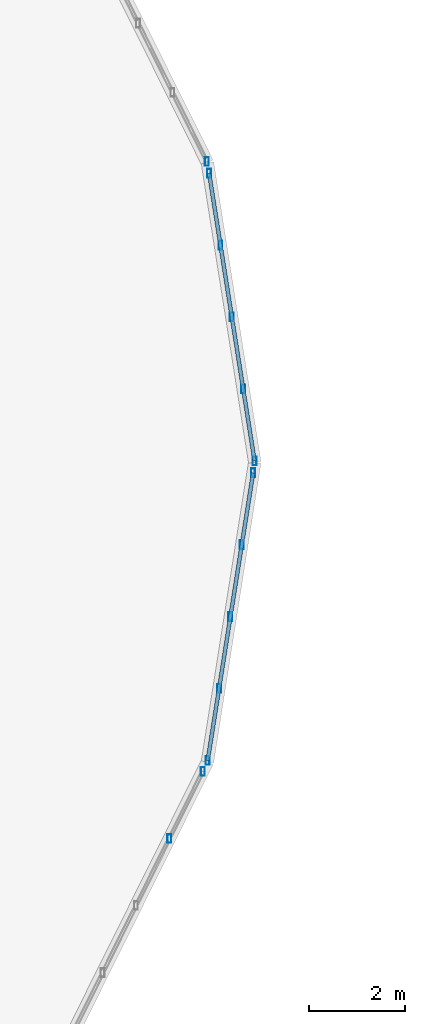
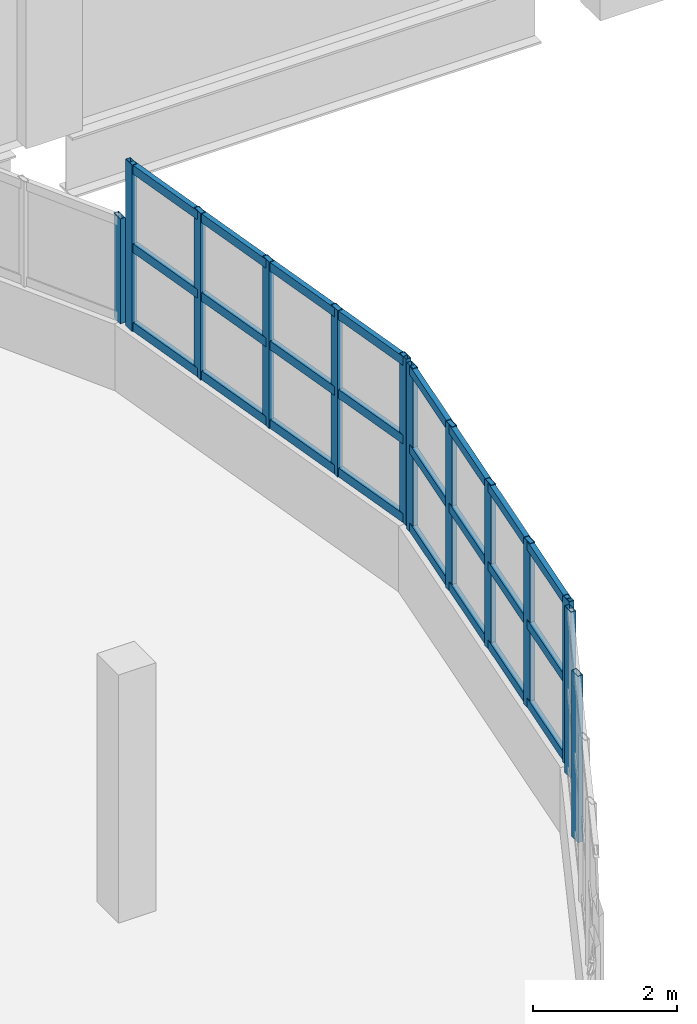
# One storey, part 23 of 52: 19 members, 4 elements without a shape of their own.
"""IFC4 building model written with IfcOpenShell, lengths in metres."""

from ifc_helpers import new_model, si_unit, direction, frame, origin, origin_2d, place, context, subcontext, project, spatial, hollow_rectangle, extrude, material, material_profile, profile_set, type_object, element, aggregate, save


model = new_model("IFC4")

# Units and contexts
model_context = context("Model", 3, precision=1e-05, world=origin(), true_north=direction((0.0, 1.0)))
body_context = subcontext(model_context, "Body", "Model", "MODEL_VIEW")
ifc_project = project(units=[si_unit("LENGTHUNIT", "METRE"), si_unit("AREAUNIT", "SQUARE_METRE"), si_unit("VOLUMEUNIT", "CUBIC_METRE"), si_unit("PLANEANGLEUNIT", "RADIAN"), si_unit("MASSUNIT", "GRAM", prefix="KILO")], contexts=[model_context])

# Site, building, storey
site_placement = place(None, origin())
site = spatial("IfcSite", under=ifc_project, at=site_placement, CompositionType="ELEMENT")
building_placement = place(site_placement, origin())
building = spatial("IfcBuilding", under=site, at=building_placement, Name="Solvento Point Concert Hall", CompositionType="ELEMENT")
storey_placement = place(building_placement, frame((0.0, 0.0, 19.5)))
storey = spatial("IfcBuildingStorey", under=building, at=storey_placement, Name="L04", CompositionType="ELEMENT", Elevation=19.5)

# Curtain wall, member
ifc_material_1 = material(Name="Anodized Bronze Aluminium", Category="aluminium")
curtain_wall_type = type_object("IfcCurtainWallType", Name="CurtainWall_RingRibbon_L03_04", PredefinedType="USERDEFINED", material=ifc_material_1)
curtain_wall_1_placement = place(storey_placement, origin())
curtain_wall_1 = element("IfcCurtainWall", 1, at=curtain_wall_1_placement, inside=storey, type_object=curtain_wall_type, Name="Unitised curtain wall CW-31 UCW-L04-223", ObjectType="UNITISED CURTAIN WALL", PredefinedType="USERDEFINED")
ifc_material_2 = material(Name="Anodized Bronze Aluminium", Category="aluminium")
ifc_material_profile_1 = material_profile(ifc_material_2, hollow_rectangle(XDim=0.080078125, YDim=0.179931640625, WallThickness=0.00390625, at=origin_2d()), Name="CW-MUL-80X180")
ifc_profile_set_1 = profile_set([ifc_material_profile_1], Name="Anodized Bronze Aluminium")
member_type_1 = type_object("IfcMemberType", Name="Mullion_80x180", PredefinedType="MULLION", material=ifc_profile_set_1)
member_1_placement = place(storey_placement, frame((89.00537109375, 36.438720703125, 1.1201171875), z_axis=(0.0, 0.0, 1.0), x_axis=(1.0, 0.0, 0.0)))
member_1 = element("IfcMember", 2, at=member_1_placement, type_object=member_type_1, Name="Curtain wall mullion ML-01", PredefinedType="MULLION", context=body_context, shape_type="SweptSolid", body=[
    extrude(hollow_rectangle(XDim=0.080078125, YDim=0.179931640625, WallThickness=0.00390625, at=origin_2d()), origin(), (0.0, 0.0, 1.0), 1.77783203125),
])
aggregate(curtain_wall_1, [member_1])

# Curtain wall, members
curtain_wall_2_placement = place(storey_placement, origin())
curtain_wall_2 = element("IfcCurtainWall", 3, at=curtain_wall_2_placement, inside=storey, type_object=curtain_wall_type, Name="Unitised curtain wall CW-31 UCW-L04-224", ObjectType="UNITISED CURTAIN WALL", PredefinedType="USERDEFINED")
member_2_placement = place(storey_placement, frame((89.052978515625, 36.1943359375, 1.1201171875), z_axis=(0.0, 0.0, 1.0), x_axis=(1.0, 0.0, 0.0)))
member_2 = element("IfcMember", 4, at=member_2_placement, type_object=member_type_1, Name="Curtain wall mullion ML-01", PredefinedType="MULLION", context=body_context, shape_type="SweptSolid", body=[
    extrude(hollow_rectangle(XDim=0.080078125, YDim=0.179931640625, WallThickness=0.00390625, at=origin_2d()), origin(), (0.0, 0.0, 1.0), 2.81982421875),
])
member_3_placement = place(storey_placement, frame((89.28857421875, 34.703125, 1.1201171875), z_axis=(0.0, 0.0, 1.0), x_axis=(1.0, 0.0, 0.0)))
member_3 = element("IfcMember", 5, at=member_3_placement, type_object=member_type_1, Name="Curtain wall mullion ML-01", PredefinedType="MULLION", context=body_context, shape_type="SweptSolid", body=[
    extrude(hollow_rectangle(XDim=0.080078125, YDim=0.179931640625, WallThickness=0.00390625, at=origin_2d()), origin(), (0.0, 0.0, 1.0), 2.81982421875),
])
member_4_placement = place(storey_placement, frame((89.524169921875, 33.2119140625, 1.1201171875), z_axis=(0.0, 0.0, 1.0), x_axis=(1.0, 0.0, 0.0)))
member_4 = element("IfcMember", 6, at=member_4_placement, type_object=member_type_1, Name="Curtain wall mullion ML-01", PredefinedType="MULLION", context=body_context, shape_type="SweptSolid", body=[
    extrude(hollow_rectangle(XDim=0.080078125, YDim=0.179931640625, WallThickness=0.00390625, at=origin_2d()), origin(), (0.0, 0.0, 1.0), 2.81982421875),
])
member_5_placement = place(storey_placement, frame((89.759765625, 31.720703125, 1.1201171875), z_axis=(0.0, 0.0, 1.0), x_axis=(1.0, 0.0, 0.0)))
member_5 = element("IfcMember", 7, at=member_5_placement, type_object=member_type_1, Name="Curtain wall mullion ML-01", PredefinedType="MULLION", context=body_context, shape_type="SweptSolid", body=[
    extrude(hollow_rectangle(XDim=0.080078125, YDim=0.179931640625, WallThickness=0.00390625, at=origin_2d()), origin(), (0.0, 0.0, 1.0), 2.81982421875),
])
member_6_placement = place(storey_placement, frame((89.995361328125, 30.2294921875, 1.1201171875), z_axis=(0.0, 0.0, 1.0), x_axis=(1.0, 0.0, 0.0)))
member_6 = element("IfcMember", 8, at=member_6_placement, type_object=member_type_1, Name="Curtain wall mullion ML-01", PredefinedType="MULLION", context=body_context, shape_type="SweptSolid", body=[
    extrude(hollow_rectangle(XDim=0.080078125, YDim=0.179931640625, WallThickness=0.00390625, at=origin_2d()), origin(), (0.0, 0.0, 1.0), 2.81982421875),
])

curtain_wall_3_placement = place(storey_placement, origin())
curtain_wall_3 = element("IfcCurtainWall", 9, at=curtain_wall_3_placement, inside=storey, type_object=curtain_wall_type, Name="Unitised curtain wall CW-31 UCW-L04-225", ObjectType="UNITISED CURTAIN WALL", PredefinedType="USERDEFINED")
member_7_placement = place(storey_placement, frame((89.9658203125, 29.982666015625, 1.1201171875), z_axis=(0.0, 0.0, 1.0), x_axis=(1.0, 0.0, 0.0)))
member_7 = element("IfcMember", 10, at=member_7_placement, type_object=member_type_1, Name="Curtain wall mullion ML-01", PredefinedType="MULLION", context=body_context, shape_type="SweptSolid", body=[
    extrude(hollow_rectangle(XDim=0.080078125, YDim=0.179931640625, WallThickness=0.00390625, at=origin_2d()), origin(), (0.0, 0.0, 1.0), 2.81982421875),
])
member_8_placement = place(storey_placement, frame((89.72998046875, 28.491455078125, 1.1201171875), z_axis=(0.0, 0.0, 1.0), x_axis=(1.0, 0.0, 0.0)))
member_8 = element("IfcMember", 11, at=member_8_placement, type_object=member_type_1, Name="Curtain wall mullion ML-01", PredefinedType="MULLION", context=body_context, shape_type="SweptSolid", body=[
    extrude(hollow_rectangle(XDim=0.080078125, YDim=0.179931640625, WallThickness=0.00390625, at=origin_2d()), origin(), (0.0, 0.0, 1.0), 2.81982421875),
])
member_9_placement = place(storey_placement, frame((89.494384765625, 27.000244140625, 1.1201171875), z_axis=(0.0, 0.0, 1.0), x_axis=(1.0, 0.0, 0.0)))
member_9 = element("IfcMember", 12, at=member_9_placement, type_object=member_type_1, Name="Curtain wall mullion ML-01", PredefinedType="MULLION", context=body_context, shape_type="SweptSolid", body=[
    extrude(hollow_rectangle(XDim=0.080078125, YDim=0.179931640625, WallThickness=0.00390625, at=origin_2d()), origin(), (0.0, 0.0, 1.0), 2.81982421875),
])
member_10_placement = place(storey_placement, frame((89.259033203125, 25.509033203125, 1.1201171875), z_axis=(0.0, 0.0, 1.0), x_axis=(1.0, 0.0, 0.0)))
member_10 = element("IfcMember", 13, at=member_10_placement, type_object=member_type_1, Name="Curtain wall mullion ML-01", PredefinedType="MULLION", context=body_context, shape_type="SweptSolid", body=[
    extrude(hollow_rectangle(XDim=0.080078125, YDim=0.179931640625, WallThickness=0.00390625, at=origin_2d()), origin(), (0.0, 0.0, 1.0), 2.81982421875),
])
member_11_placement = place(storey_placement, frame((89.0234375, 24.017822265625, 1.1201171875), z_axis=(0.0, 0.0, 1.0), x_axis=(1.0, 0.0, 0.0)))
member_11 = element("IfcMember", 14, at=member_11_placement, type_object=member_type_1, Name="Curtain wall mullion ML-01", PredefinedType="MULLION", context=body_context, shape_type="SweptSolid", body=[
    extrude(hollow_rectangle(XDim=0.080078125, YDim=0.179931640625, WallThickness=0.00390625, at=origin_2d()), origin(), (0.0, 0.0, 1.0), 2.81982421875),
])

curtain_wall_4_placement = place(storey_placement, origin())
curtain_wall_4 = element("IfcCurtainWall", 15, at=curtain_wall_4_placement, inside=storey, type_object=curtain_wall_type, Name="Unitised curtain wall CW-31 UCW-L04-226", ObjectType="UNITISED CURTAIN WALL", PredefinedType="USERDEFINED")
member_12_placement = place(storey_placement, frame((88.9208984375, 23.791259765625, 1.1201171875), z_axis=(0.0, 0.0, 1.0), x_axis=(1.0, 0.0, 0.0)))
member_12 = element("IfcMember", 16, at=member_12_placement, type_object=member_type_1, Name="Curtain wall mullion ML-01", PredefinedType="MULLION", context=body_context, shape_type="SweptSolid", body=[
    extrude(hollow_rectangle(XDim=0.080078125, YDim=0.179931640625, WallThickness=0.00390625, at=origin_2d()), origin(), (0.0, 0.0, 1.0), 2.81982421875),
])
member_13_placement = place(storey_placement, frame((88.229248046875, 22.400146484375, 1.1201171875), z_axis=(0.0, 0.0, 1.0), x_axis=(1.0, 0.0, 0.0)))
member_13 = element("IfcMember", 17, at=member_13_placement, type_object=member_type_1, Name="Curtain wall mullion ML-01", PredefinedType="MULLION", context=body_context, shape_type="SweptSolid", body=[
    extrude(hollow_rectangle(XDim=0.080078125, YDim=0.179931640625, WallThickness=0.00390625, at=origin_2d()), origin(), (0.0, 0.0, 1.0), 2.81982421875),
])
aggregate(curtain_wall_4, [member_12, member_13])

# Member
ifc_material_3 = material(Name="Anodized Bronze Aluminium", Category="aluminium")
ifc_material_profile_2 = material_profile(ifc_material_3, hollow_rectangle(XDim=0.080078125, YDim=0.14990234375, WallThickness=0.00390625, at=origin_2d()), Name="CW-TRN-80X150")
ifc_profile_set_2 = profile_set([ifc_material_profile_2], Name="Anodized Bronze Aluminium")
member_type_2 = type_object("IfcMemberType", Name="Transom_80x150", PredefinedType="USERDEFINED", material=ifc_profile_set_2)
member_14_placement = place(storey_placement, frame((89.052978515625, 36.1943359375, 1.199951171875), z_axis=(0.15605391931, -0.987748537973, 0.0), x_axis=(0.987748537973, 0.15605391931, 0.0)))
member_14 = element("IfcMember", 18, at=member_14_placement, type_object=member_type_2, Name="Curtain wall transom TR-01", ObjectType="TRANSOM", PredefinedType="USERDEFINED", context=body_context, shape_type="SweptSolid", body=[
    extrude(hollow_rectangle(XDim=0.080078125, YDim=0.14990234375, WallThickness=0.00390625, at=origin_2d()), origin(), (0.0, 0.0, 1.0), 6.038818359375),
])

member_15_placement = place(storey_placement, frame((89.052978515625, 36.1943359375, 2.530029296875), z_axis=(0.15605391931, -0.987748537973, 0.0), x_axis=(0.987748537973, 0.15605391931, 0.0)))
member_15 = element("IfcMember", 19, at=member_15_placement, type_object=member_type_2, Name="Curtain wall transom TR-01", ObjectType="TRANSOM", PredefinedType="USERDEFINED", context=body_context, shape_type="SweptSolid", body=[
    extrude(hollow_rectangle(XDim=0.080078125, YDim=0.14990234375, WallThickness=0.00390625, at=origin_2d()), origin(), (0.0, 0.0, 1.0), 6.038818359375),
])

member_16_placement = place(storey_placement, frame((89.052978515625, 36.1943359375, 3.860107421875), z_axis=(0.15605391931, -0.987748537973, 0.0), x_axis=(0.987748537973, 0.15605391931, 0.0)))
member_16 = element("IfcMember", 20, at=member_16_placement, type_object=member_type_2, Name="Curtain wall transom TR-01", ObjectType="TRANSOM", PredefinedType="USERDEFINED", context=body_context, shape_type="SweptSolid", body=[
    extrude(hollow_rectangle(XDim=0.080078125, YDim=0.14990234375, WallThickness=0.00390625, at=origin_2d()), origin(), (0.0, 0.0, 1.0), 6.038818359375),
])

aggregate(curtain_wall_2, [member_2, member_3, member_4, member_5, member_6, member_14, member_15, member_16])

member_17_placement = place(storey_placement, frame((89.9658203125, 29.982666015625, 1.199951171875), z_axis=(-0.15605391931, -0.987748537973, 0.0), x_axis=(0.987748537973, -0.15605391931, 0.0)))
member_17 = element("IfcMember", 21, at=member_17_placement, type_object=member_type_2, Name="Curtain wall transom TR-01", ObjectType="TRANSOM", PredefinedType="USERDEFINED", context=body_context, shape_type="SweptSolid", body=[
    extrude(hollow_rectangle(XDim=0.080078125, YDim=0.14990234375, WallThickness=0.00390625, at=origin_2d()), origin(), (0.0, 0.0, 1.0), 6.038818359375),
])

member_18_placement = place(storey_placement, frame((89.9658203125, 29.982666015625, 2.530029296875), z_axis=(-0.15605391931, -0.987748537973, 0.0), x_axis=(0.987748537973, -0.15605391931, 0.0)))
member_18 = element("IfcMember", 22, at=member_18_placement, type_object=member_type_2, Name="Curtain wall transom TR-01", ObjectType="TRANSOM", PredefinedType="USERDEFINED", context=body_context, shape_type="SweptSolid", body=[
    extrude(hollow_rectangle(XDim=0.080078125, YDim=0.14990234375, WallThickness=0.00390625, at=origin_2d()), origin(), (0.0, 0.0, 1.0), 6.038818359375),
])

member_19_placement = place(storey_placement, frame((89.9658203125, 29.982666015625, 3.860107421875), z_axis=(-0.15605391931, -0.987748537973, 0.0), x_axis=(0.987748537973, -0.15605391931, 0.0)))
member_19 = element("IfcMember", 23, at=member_19_placement, type_object=member_type_2, Name="Curtain wall transom TR-01", ObjectType="TRANSOM", PredefinedType="USERDEFINED", context=body_context, shape_type="SweptSolid", body=[
    extrude(hollow_rectangle(XDim=0.080078125, YDim=0.14990234375, WallThickness=0.00390625, at=origin_2d()), origin(), (0.0, 0.0, 1.0), 6.038818359375),
])

aggregate(curtain_wall_3, [member_7, member_8, member_9, member_10, member_11, member_17, member_18, member_19])

save(model, "model.ifc")
